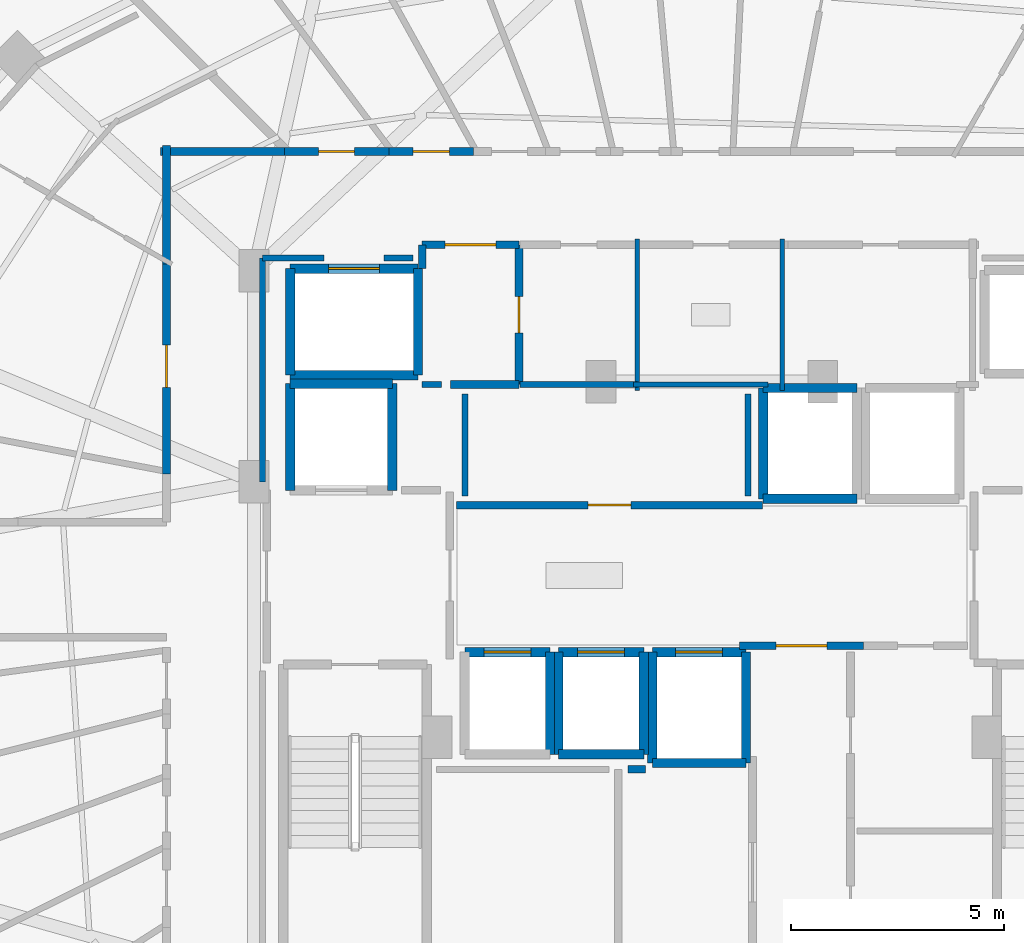
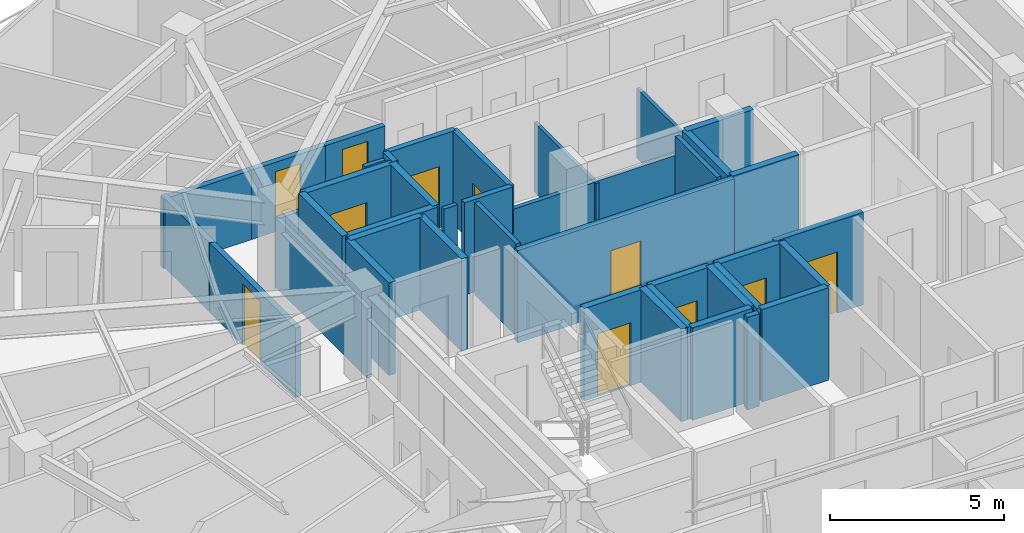
# One storey, part 24 of 31: 42 walls, 11 doors, 11 openings.
"""IFC4 building model written with IfcOpenShell, lengths in metres."""

from ifc_helpers import new_model, si_unit, direction, frame, frame_2d, origin, place, context, subcontext, project, spatial, rectangle, extrude, material, layer, layer_set, type_object, element, fill, save


model = new_model("IFC4")

# Units and contexts
model_context = context("Model", 3, precision=1e-05, world=origin(), true_north=direction((0.0, 1.0)))
body_context = subcontext(model_context, "Body", "Model", "MODEL_VIEW")
ifc_project = project(units=[si_unit("LENGTHUNIT", "METRE"), si_unit("AREAUNIT", "SQUARE_METRE"), si_unit("VOLUMEUNIT", "CUBIC_METRE"), si_unit("PLANEANGLEUNIT", "RADIAN"), si_unit("MASSUNIT", "GRAM", prefix="KILO")], contexts=[model_context])

# Site, building, storey
site_placement = place(None, origin())
site = spatial("IfcSite", under=ifc_project, at=site_placement, CompositionType="ELEMENT")
building_placement = place(site_placement, origin())
building = spatial("IfcBuilding", under=site, at=building_placement, Name="Vorneva Point Tower", CompositionType="ELEMENT")
storey_placement = place(building_placement, frame((0.0, 0.0, 193.10009765625)))
storey = spatial("IfcBuildingStorey", under=building, at=storey_placement, Name="L52", CompositionType="ELEMENT", Elevation=193.10009765625)

# Walls
ifc_material_1 = material(Name="Concrete B60 (C50/60)", Category="concrete")
ifc_layer_1 = layer(ifc_material_1, 0.35009765625)
ifc_layer_set_1 = layer_set([ifc_layer_1], Name="Concrete B60 (C50/60)")
wall_type_1 = type_object("IfcWallType", Name="WL-CORE-350", PredefinedType="SHEAR", material=ifc_layer_set_1)
wall_1_placement = place(storey_placement, frame((30.5, 28.0, 0.0), z_axis=(0.0, 0.0, 1.0), x_axis=(0.0, 1.0, 0.0)))
element("IfcWall", 1, at=wall_1_placement, inside=storey, type_object=wall_type_1, Name="L52 Lift FFL1 Shaft Wall +X", PredefinedType="SHEAR", context=body_context, shape_type="SweptSolid", body=[
    extrude(rectangle(XDim=2.5, YDim=0.219970703125, at=frame_2d((1.25, 0.0))), origin(), (0.0, 0.0, 1.0), 3.239990234375),
])
wall_2_placement = place(storey_placement, frame((30.5, 30.5, 0.0), z_axis=(0.0, 0.0, 1.0), x_axis=(-1.0, 0.0, 0.0)))
element("IfcWall", 2, at=wall_2_placement, inside=storey, type_object=wall_type_1, Name="L52 Lift FFL1 Shaft Wall +Y", PredefinedType="SHEAR", context=body_context, shape_type="SweptSolid", body=[
    extrude(rectangle(XDim=2.39990234375, YDim=0.219970703125, at=frame_2d((1.199951171875, 0.0))), origin(), (0.0, 0.0, 1.0), 3.239990234375),
])
wall_3_placement = place(storey_placement, frame((28.10009765625, 30.5, 0.0), z_axis=(0.0, 0.0, 1.0), x_axis=(0.0, -1.0, 0.0)))
element("IfcWall", 3, at=wall_3_placement, inside=storey, type_object=wall_type_1, Name="L52 Lift FFL1 Shaft Wall -X", PredefinedType="SHEAR", context=body_context, shape_type="SweptSolid", body=[
    extrude(rectangle(XDim=2.5, YDim=0.219970703125, at=frame_2d((1.25, 0.0))), origin(), (0.0, 0.0, 1.0), 3.239990234375),
])
ifc_material_2 = material(Name="Fire-rated acoustic gypsum stud partition", Category="gypsum")
ifc_layer_2 = layer(ifc_material_2, 0.110107421875)
ifc_layer_set_2 = layer_set([ifc_layer_2], Name="Fire-rated acoustic gypsum stud partition")
wall_type_2 = type_object("IfcWallType", Name="WL-PART-110", PredefinedType="PARTITIONING", material=ifc_layer_set_2)
for number, where, z_axis, x_axis, name in (
    (4, (36.25, 30.340087890625, 0.0), (0.0, 0.0, 1.0), (0.0, 1.0, 0.0), "L52 Interior Partition 019"),
    (5, (39.64990234375, 30.340087890625, 0.0), (0.0, 0.0, 1.0), (0.0, 1.0, 0.0), "L52 Interior Partition 022"),
):
    element("IfcWall", number, at=place(storey_placement, frame(where, z_axis=z_axis, x_axis=x_axis)), inside=storey, type_object=wall_type_2, Name=name, PredefinedType="PARTITIONING", context=body_context, shape_type="SweptSolid", body=[
        extrude(rectangle(XDim=3.559814453125, YDim=0.110107421875, at=frame_2d((1.77978515625, 0.0))), origin(), (0.0, 0.0, 1.0), 2.431884765625),
    ])
wall_4_placement = place(storey_placement, frame((36.159912109375, 30.47998046875, 0.0), z_axis=(0.0, 0.0, 1.0), x_axis=(1.0, 0.0, 0.0)))
element("IfcWall", 6, at=wall_4_placement, inside=storey, type_object=wall_type_2, Name="L52 Interior Partition 023", PredefinedType="PARTITIONING", context=body_context, shape_type="SweptSolid", body=[
    extrude(rectangle(XDim=3.16015625, YDim=0.110107421875, at=frame_2d((1.580078125, 0.0))), origin(), (0.0, 0.0, 1.0), 2.431884765625),
])
ifc_layer_3 = layer(ifc_material_2, 0.139892578125)
ifc_layer_set_3 = layer_set([ifc_layer_3], Name="Fire-rated acoustic gypsum stud partition")
wall_type_3 = type_object("IfcWallType", Name="WL-PART-140", PredefinedType="PARTITIONING", material=ifc_layer_set_3)
wall_5_placement = place(storey_placement, frame((33.5, 30.47998046875, 0.0), z_axis=(0.0, 0.0, 1.0), x_axis=(1.0, 0.0, 0.0)))
element("IfcWall", 7, at=wall_5_placement, inside=storey, type_object=wall_type_3, Name="L52 Interior Partition 020", PredefinedType="PARTITIONING", context=body_context, shape_type="SweptSolid", body=[
    extrude(rectangle(XDim=2.75, YDim=0.139892578125, at=frame_2d((1.375, 0.0))), origin(), (0.0, 0.0, 1.0), 2.431884765625),
])
wall_6_placement = place(storey_placement, frame((31.199951171875, 30.47998046875, 0.0), z_axis=(0.0, 0.0, 1.0), x_axis=(1.0, 0.0, 0.0)))
element("IfcWall", 8, at=wall_6_placement, inside=storey, type_object=wall_type_3, Name="L52 Interior Closure Partition 131", PredefinedType="PARTITIONING", context=body_context, shape_type="SweptSolid", body=[
    extrude(rectangle(XDim=0.449951171875, YDim=0.139892578125, at=frame_2d((0.22509765625, 0.0))), origin(), (0.0, 0.0, 1.0), 3.239990234375),
])
for number, where, z_axis, x_axis, name in (
    (9, (32.199951171875, 30.260009765625, 0.0), (0.0, 0.0, 1.0), (0.0, -1.0, 0.0), "L52 Interior Closure Partition 136"),
    (10, (38.85009765625, 27.8701171875, 0.0), (0.0, 0.0, 1.0), (0.0, 1.0, 0.0), "L52 Interior Closure Partition 137"),
):
    element("IfcWall", number, at=place(storey_placement, frame(where, z_axis=z_axis, x_axis=x_axis)), inside=storey, type_object=wall_type_3, Name=name, PredefinedType="PARTITIONING", context=body_context, shape_type="SweptSolid", body=[
        extrude(rectangle(XDim=2.389892578125, YDim=0.139892578125, at=frame_2d((1.19482421875, 0.0))), origin(), (0.0, 0.0, 1.0), 3.239990234375),
    ])
wall_7_placement = place(storey_placement, frame((30.97998046875, 33.449951171875, 0.0), z_axis=(0.0, 0.0, 1.0), x_axis=(-1.0, 0.0, 0.0)))
element("IfcWall", 11, at=wall_7_placement, inside=storey, type_object=wall_type_3, Name="L52 Interior Closure Partition 141", PredefinedType="PARTITIONING", context=body_context, shape_type="SweptSolid", body=[
    extrude(rectangle(XDim=0.674072265625, YDim=0.139892578125, at=frame_2d((0.3369140625, 0.0))), origin(), (0.0, 0.0, 1.0), 3.239990234375),
])
wall_8_placement = place(storey_placement, frame((28.89404296875, 33.449951171875, 0.0), z_axis=(0.0, 0.0, 1.0), x_axis=(-1.0, 0.0, 0.0)))
element("IfcWall", 12, at=wall_8_placement, inside=storey, type_object=wall_type_3, Name="L52 Interior Closure Partition 142", PredefinedType="PARTITIONING", context=body_context, shape_type="SweptSolid", body=[
    extrude(rectangle(XDim=1.444091796875, YDim=0.139892578125, at=frame_2d((0.72216796875, 0.0))), origin(), (0.0, 0.0, 1.0), 2.431884765625),
])
wall_9_placement = place(storey_placement, frame((27.449951171875, 33.449951171875, 0.0), z_axis=(0.0, 0.0, 1.0), x_axis=(0.0, -1.0, 0.0)))
element("IfcWall", 13, at=wall_9_placement, inside=storey, type_object=wall_type_3, Name="L52 Interior Closure Partition 143", PredefinedType="PARTITIONING", context=body_context, shape_type="SweptSolid", body=[
    extrude(rectangle(XDim=5.25390625, YDim=0.139892578125, at=frame_2d((2.626953125, 0.0))), origin(), (0.0, 0.0, 1.0), 2.431884765625),
])

# Wall, opening, door
ifc_material_3 = material(Name="Autoclaved aerated concrete blockwork", Category="masonry")
ifc_layer_4 = layer(ifc_material_3, 0.179931640625)
ifc_layer_set_4 = layer_set([ifc_layer_4], Name="Autoclaved aerated concrete blockwork")
wall_type_4 = type_object("IfcWallType", Name="WL-PART-180", PredefinedType="PARTITIONING", material=ifc_layer_set_4)
wall_10_placement = place(storey_placement, frame((33.469970703125, 30.47998046875, 0.0), z_axis=(0.0, 0.0, 1.0), x_axis=(0.0, 1.0, 0.0)))
wall_10 = element("IfcWall", 14, at=wall_10_placement, inside=storey, type_object=wall_type_4, Name="L52 Interior Partition 006", PredefinedType="PARTITIONING", context=body_context, shape_type="SweptSolid", body=[
    extrude(rectangle(XDim=3.280029296875, YDim=0.179931640625, at=frame_2d((1.64013671875, 0.0))), origin(), (0.0, 0.0, 1.0), 3.239990234375),
])
opening_1_placement = place(wall_10_placement, frame((1.215087890625, 0.0, 0.0)))
opening_1 = element("IfcOpeningElement", 15, at=opening_1_placement, cuts=wall_10, Name="Opening ID-02", PredefinedType="OPENING", context=body_context, shape_type="SweptSolid", body=[
    extrude(rectangle(XDim=0.85009765625, YDim=2.10009765625, at=frame_2d((0.425048828125, 1.050048828125))), frame((0.0, 0.10498046875, 0.0), z_axis=(0.0, -1.0, 0.0), x_axis=(1.0, 0.0, 0.0)), (0.0, 0.0, 1.0), 0.209716796875),
])
ifc_material_4 = material(Name="Engineered oak fire-rated door leaf", Category="wood")
door_type_1 = type_object("IfcDoorType", Name="DR-BATH-850", OperationType="NOTDEFINED", PredefinedType="DOOR", material=ifc_material_4)
door_1_placement = place(opening_1_placement, origin())
door_1 = element("IfcDoor", 16, at=door_1_placement, inside=storey, type_object=door_type_1, Name="L52 Door Service Lift Lobby / Core Supply Store", OperationType="SINGLE_SWING_RIGHT", OverallHeight=2.10009765625, OverallWidth=0.85009765625, PredefinedType="DOOR", context=body_context, shape_type="SweptSolid", body=[
    extrude(rectangle(XDim=0.85009765625, YDim=2.10009765625, at=frame_2d((0.425048828125, 1.050048828125))), frame((0.0, 0.02490234375, 0.0), z_axis=(0.0, -1.0, 0.0), x_axis=(1.0, 0.0, 0.0)), (0.0, 0.0, 1.0), 0.050048828125),
])
fill(opening_1, door_1)

# Wall
wall_11_placement = place(storey_placement, frame((31.8701171875, 30.47998046875, 0.0), z_axis=(0.0, 0.0, 1.0), x_axis=(1.0, 0.0, 0.0)))
element("IfcWall", 17, at=wall_11_placement, inside=storey, type_object=wall_type_4, Name="L52 Interior Partition 007", PredefinedType="PARTITIONING", context=body_context, shape_type="SweptSolid", body=[
    extrude(rectangle(XDim=1.599853515625, YDim=0.179931640625, at=frame_2d((0.7998046875, 0.0))), origin(), (0.0, 0.0, 1.0), 3.239990234375),
])

# Wall, opening, door
wall_12_placement = place(storey_placement, frame((33.469970703125, 33.760009765625, 0.0), z_axis=(0.0, 0.0, 1.0), x_axis=(-1.0, 0.0, 0.0)))
wall_12 = element("IfcWall", 18, at=wall_12_placement, inside=storey, type_object=wall_type_4, Name="L52 Interior Partition 008", PredefinedType="PARTITIONING", context=body_context, shape_type="SweptSolid", body=[
    extrude(rectangle(XDim=2.27001953125, YDim=0.179931640625, at=frame_2d((1.135009765625, 0.0))), origin(), (0.0, 0.0, 1.0), 3.239990234375),
])
opening_2_placement = place(wall_12_placement, frame((0.534912109375, 0.0, 0.0)))
opening_2 = element("IfcOpeningElement", 19, at=opening_2_placement, cuts=wall_12, Name="Opening FD-02", PredefinedType="OPENING", context=body_context, shape_type="SweptSolid", body=[
    extrude(rectangle(XDim=1.199951171875, YDim=2.14990234375, at=frame_2d((0.60009765625, 1.074951171875))), frame((0.0, 0.10498046875, 0.0), z_axis=(0.0, -1.0, 0.0), x_axis=(1.0, 0.0, 0.0)), (0.0, 0.0, 1.0), 0.209716796875),
])
ifc_material_5 = material(Name="Fire-rated powder-coated steel", Category="steel")
door_type_2 = type_object("IfcDoorType", Name="DR-FFL-1200", OperationType="NOTDEFINED", PredefinedType="DOOR", material=ifc_material_5)
door_2_placement = place(opening_2_placement, origin())
door_2 = element("IfcDoor", 20, at=door_2_placement, inside=storey, type_object=door_type_2, Name="L52 Door Service Lift Lobby / L52 Circulation Corridor", OperationType="SINGLE_SWING_LEFT", OverallHeight=2.14990234375, OverallWidth=1.199951171875, PredefinedType="DOOR", context=body_context, shape_type="SweptSolid", body=[
    extrude(rectangle(XDim=1.199951171875, YDim=2.14990234375, at=frame_2d((0.60009765625, 1.074951171875))), frame((0.0, 0.02490234375, 0.0), z_axis=(0.0, -1.0, 0.0), x_axis=(1.0, 0.0, 0.0)), (0.0, 0.0, 1.0), 0.050048828125),
])
fill(opening_2, door_2)

# Wall
wall_13_placement = place(storey_placement, frame((31.199951171875, 33.760009765625, 0.0), z_axis=(0.0, 0.0, 1.0), x_axis=(0.0, -1.0, 0.0)))
element("IfcWall", 21, at=wall_13_placement, inside=storey, type_object=wall_type_4, Name="L52 Interior Partition 009", PredefinedType="PARTITIONING", context=body_context, shape_type="SweptSolid", body=[
    extrude(rectangle(XDim=0.56005859375, YDim=0.179931640625, at=frame_2d((0.280029296875, 0.0))), origin(), (0.0, 0.0, 1.0), 3.239990234375),
])

# Wall, opening, door
wall_14_placement = place(storey_placement, frame((38.64501953125, 24.35009765625, 0.0), z_axis=(0.0, 0.0, 1.0), x_axis=(1.0, 0.0, 0.0)))
wall_14 = element("IfcWall", 22, at=wall_14_placement, inside=storey, type_object=wall_type_4, Name="L52 Interior Partition 010", PredefinedType="PARTITIONING", context=body_context, shape_type="SweptSolid", body=[
    extrude(rectangle(XDim=2.909912109375, YDim=0.179931640625, at=frame_2d((1.455078125, 0.0))), origin(), (0.0, 0.0, 1.0), 3.239990234375),
])
opening_3_placement = place(wall_14_placement, frame((0.85498046875, 0.0, 0.0)))
opening_3 = element("IfcOpeningElement", 23, at=opening_3_placement, cuts=wall_14, Name="Opening FD-02", PredefinedType="OPENING", context=body_context, shape_type="SweptSolid", body=[
    extrude(rectangle(XDim=1.199951171875, YDim=2.14990234375, at=frame_2d((0.60009765625, 1.074951171875))), frame((0.0, 0.10498046875, 0.0), z_axis=(0.0, -1.0, 0.0), x_axis=(1.0, 0.0, 0.0)), (0.0, 0.0, 1.0), 0.209716796875),
])
door_3_placement = place(opening_3_placement, origin())
door_3 = element("IfcDoor", 24, at=door_3_placement, inside=storey, type_object=door_type_2, Name="L52 Door Central Lift Lobby / Core Service Lobby", OperationType="SINGLE_SWING_RIGHT", OverallHeight=2.14990234375, OverallWidth=1.199951171875, PredefinedType="DOOR", context=body_context, shape_type="SweptSolid", body=[
    extrude(rectangle(XDim=1.199951171875, YDim=2.14990234375, at=frame_2d((0.60009765625, 1.074951171875))), frame((0.0, 0.02490234375, 0.0), z_axis=(0.0, -1.0, 0.0), x_axis=(1.0, 0.0, 0.0)), (0.0, 0.0, 1.0), 0.050048828125),
])
fill(opening_3, door_3)

wall_15_placement = place(storey_placement, frame((39.18994140625, 27.64990234375, 0.0), z_axis=(0.0, 0.0, 1.0), x_axis=(-1.0, 0.0, 0.0)))
wall_15 = element("IfcWall", 25, at=wall_15_placement, inside=storey, type_object=wall_type_4, Name="L52 Interior Partition 012", PredefinedType="PARTITIONING", context=body_context, shape_type="SweptSolid", body=[
    extrude(rectangle(XDim=7.18994140625, YDim=0.179931640625, at=frame_2d((3.594970703125, 0.0))), origin(), (0.0, 0.0, 1.0), 3.239990234375),
])
opening_4_placement = place(wall_15_placement, frame((3.094970703125, 0.0, 0.0)))
opening_4 = element("IfcOpeningElement", 26, at=opening_4_placement, cuts=wall_15, Name="Opening UD-01", PredefinedType="OPENING", context=body_context, shape_type="SweptSolid", body=[
    extrude(rectangle(XDim=1.0, YDim=2.14990234375, at=frame_2d((0.5, 1.074951171875))), frame((0.0, 0.10498046875, 0.0), z_axis=(0.0, -1.0, 0.0), x_axis=(1.0, 0.0, 0.0)), (0.0, 0.0, 1.0), 0.209716796875),
])
door_type_3 = type_object("IfcDoorType", Name="DR-UNIT-1000", OperationType="NOTDEFINED", PredefinedType="DOOR", material=ifc_material_4)
door_4_placement = place(opening_4_placement, origin())
door_4 = element("IfcDoor", 27, at=door_4_placement, inside=storey, type_object=door_type_3, Name="L52 Door Central Lift Lobby / Reclaimed Core Meeting Room", OperationType="SINGLE_SWING_RIGHT", OverallHeight=2.14990234375, OverallWidth=1.0, PredefinedType="DOOR", context=body_context, shape_type="SweptSolid", body=[
    extrude(rectangle(XDim=1.0, YDim=2.14990234375, at=frame_2d((0.5, 1.074951171875))), frame((0.0, 0.02490234375, 0.0), z_axis=(0.0, -1.0, 0.0), x_axis=(1.0, 0.0, 0.0)), (0.0, 0.0, 1.0), 0.050048828125),
])
fill(opening_4, door_4)

wall_16_placement = place(storey_placement, frame((32.403076171875, 35.949951171875, 0.0), z_axis=(0.0, 0.0, 1.0), x_axis=(-1.0, 0.0, 0.0)))
wall_16 = element("IfcWall", 28, at=wall_16_placement, inside=storey, type_object=wall_type_4, Name="L52 Interior Partition 037", PredefinedType="PARTITIONING", context=body_context, shape_type="SweptSolid", body=[
    extrude(rectangle(XDim=1.984130859375, YDim=0.179931640625, at=frame_2d((0.9921875, 0.0))), origin(), (0.0, 0.0, 1.0), 2.431884765625),
])
opening_5_placement = place(wall_16_placement, frame((0.56689453125, 0.0, 0.0)))
opening_5 = element("IfcOpeningElement", 29, at=opening_5_placement, cuts=wall_16, Name="Opening ID-02", PredefinedType="OPENING", context=body_context, shape_type="SweptSolid", body=[
    extrude(rectangle(XDim=0.85009765625, YDim=2.10009765625, at=frame_2d((0.425048828125, 1.050048828125))), frame((0.0, 0.10498046875, 0.0), z_axis=(0.0, -1.0, 0.0), x_axis=(1.0, 0.0, 0.0)), (0.0, 0.0, 1.0), 0.209716796875),
])
door_5_placement = place(opening_5_placement, origin())
door_5 = element("IfcDoor", 30, at=door_5_placement, inside=storey, type_object=door_type_1, Name="L52 Access Door L52 Circulation Corridor", OperationType="SINGLE_SWING_LEFT", OverallHeight=2.10009765625, OverallWidth=0.85009765625, PredefinedType="DOOR", context=body_context, shape_type="SweptSolid", body=[
    extrude(rectangle(XDim=0.85009765625, YDim=2.10009765625, at=frame_2d((0.425048828125, 1.050048828125))), frame((0.0, 0.02490234375, 0.0), z_axis=(0.0, -1.0, 0.0), x_axis=(1.0, 0.0, 0.0)), (0.0, 0.0, 1.0), 0.050048828125),
])
fill(opening_5, door_5)

wall_17_placement = place(storey_placement, frame((30.4189453125, 35.949951171875, 0.0), z_axis=(0.0, 0.0, 1.0), x_axis=(-1.0, 0.0, 0.0)))
wall_17 = element("IfcWall", 31, at=wall_17_placement, inside=storey, type_object=wall_type_4, Name="L52 Interior Partition 038", PredefinedType="PARTITIONING", context=body_context, shape_type="SweptSolid", body=[
    extrude(rectangle(XDim=2.453857421875, YDim=0.179931640625, at=frame_2d((1.22705078125, 0.0))), origin(), (0.0, 0.0, 1.0), 2.431884765625),
])
opening_6_placement = place(wall_17_placement, frame((0.802001953125, 0.0, 0.0)))
opening_6 = element("IfcOpeningElement", 32, at=opening_6_placement, cuts=wall_17, Name="Opening ID-02", PredefinedType="OPENING", context=body_context, shape_type="SweptSolid", body=[
    extrude(rectangle(XDim=0.85009765625, YDim=2.10009765625, at=frame_2d((0.425048828125, 1.050048828125))), frame((0.0, 0.10498046875, 0.0), z_axis=(0.0, -1.0, 0.0), x_axis=(1.0, 0.0, 0.0)), (0.0, 0.0, 1.0), 0.209716796875),
])
door_6_placement = place(opening_6_placement, origin())
door_6 = element("IfcDoor", 33, at=door_6_placement, inside=storey, type_object=door_type_1, Name="L52 Access Door L52 Circulation Corridor", OperationType="SINGLE_SWING_RIGHT", OverallHeight=2.10009765625, OverallWidth=0.85009765625, PredefinedType="DOOR", context=body_context, shape_type="SweptSolid", body=[
    extrude(rectangle(XDim=0.85009765625, YDim=2.10009765625, at=frame_2d((0.425048828125, 1.050048828125))), frame((0.0, 0.02490234375, 0.0), z_axis=(0.0, -1.0, 0.0), x_axis=(1.0, 0.0, 0.0)), (0.0, 0.0, 1.0), 0.050048828125),
])
fill(opening_6, door_6)

wall_18_placement = place(storey_placement, frame((25.199951171875, 33.445068359375, 0.0), z_axis=(0.0, 0.0, 1.0), x_axis=(0.0, -1.0, 0.0)))
wall_18 = element("IfcWall", 34, at=wall_18_placement, inside=storey, type_object=wall_type_4, Name="L52 Interior Partition 039", PredefinedType="PARTITIONING", context=body_context, shape_type="SweptSolid", body=[
    extrude(rectangle(XDim=5.06298828125, YDim=0.179931640625, at=frame_2d((2.531494140625, 0.0))), origin(), (0.0, 0.0, 1.0), 2.431884765625),
])
opening_7_placement = place(wall_18_placement, frame((2.031494140625, 0.0, 0.0)))
opening_7 = element("IfcOpeningElement", 35, at=opening_7_placement, cuts=wall_18, Name="Opening UD-01", PredefinedType="OPENING", context=body_context, shape_type="SweptSolid", body=[
    extrude(rectangle(XDim=1.0, YDim=2.14990234375, at=frame_2d((0.5, 1.074951171875))), frame((0.0, 0.10498046875, 0.0), z_axis=(0.0, -1.0, 0.0), x_axis=(1.0, 0.0, 0.0)), (0.0, 0.0, 1.0), 0.209716796875),
])
door_7_placement = place(opening_7_placement, origin())
door_7 = element("IfcDoor", 36, at=door_7_placement, inside=storey, type_object=door_type_3, Name="L52 Door L52 Circulation Corridor / Living and Dining Room L52-02", OperationType="SINGLE_SWING_RIGHT", OverallHeight=2.14990234375, OverallWidth=1.0, PredefinedType="DOOR", context=body_context, shape_type="SweptSolid", body=[
    extrude(rectangle(XDim=1.0, YDim=2.14990234375, at=frame_2d((0.5, 1.074951171875))), frame((0.0, 0.02490234375, 0.0), z_axis=(0.0, -1.0, 0.0), x_axis=(1.0, 0.0, 0.0)), (0.0, 0.0, 1.0), 0.050048828125),
])
fill(opening_7, door_7)

# Walls
wall_19_placement = place(storey_placement, frame((28.10498046875, 35.949951171875, 0.0), z_axis=(0.0, 0.0, 1.0), x_axis=(-1.0, 0.0, 0.0)))
element("IfcWall", 37, at=wall_19_placement, inside=storey, type_object=wall_type_4, Name="L52 Interior Partition 040", PredefinedType="PARTITIONING", context=body_context, shape_type="SweptSolid", body=[
    extrude(rectangle(XDim=3.044921875, YDim=0.179931640625, at=frame_2d((1.5224609375, 0.0))), origin(), (0.0, 0.0, 1.0), 2.431884765625),
])
wall_20_placement = place(storey_placement, frame((25.199951171875, 36.090087890625, 0.0), z_axis=(0.0, 0.0, 1.0), x_axis=(0.0, -1.0, 0.0)))
element("IfcWall", 38, at=wall_20_placement, inside=storey, type_object=wall_type_4, Name="L52 Interior Partition 041", PredefinedType="PARTITIONING", context=body_context, shape_type="SweptSolid", body=[
    extrude(rectangle(XDim=2.78515625, YDim=0.179931640625, at=frame_2d((1.392578125, 0.0))), origin(), (0.0, 0.0, 1.0), 2.431884765625),
])
wall_21_placement = place(storey_placement, frame((36.43896484375, 21.449951171875, 0.0), z_axis=(0.0, 0.0, 1.0), x_axis=(-1.0, 0.0, 0.0)))
element("IfcWall", 39, at=wall_21_placement, inside=storey, type_object=wall_type_4, Name="L52 Interior Closure Partition 135", PredefinedType="PARTITIONING", context=body_context, shape_type="SweptSolid", body=[
    extrude(rectangle(XDim=0.408935546875, YDim=0.179931640625, at=frame_2d((0.20458984375, 0.0))), origin(), (0.0, 0.0, 1.0), 3.239990234375),
])
ifc_material_6 = material(Name="Concrete B50 (C40/50)", Category="concrete")
ifc_layer_5 = layer(ifc_material_6, 0.219970703125)
ifc_layer_set_5 = layer_set([ifc_layer_5], Name="Concrete B50 (C40/50)")
wall_type_5 = type_object("IfcWallType", Name="WL-SHFT-220", PredefinedType="SOLIDWALL", material=ifc_layer_set_5)
wall_22_placement = place(storey_placement, frame((34.199951171875, 21.800048828125, 0.0), z_axis=(0.0, 0.0, 1.0), x_axis=(0.0, 1.0, 0.0)))
element("IfcWall", 40, at=wall_22_placement, inside=storey, type_object=wall_type_5, Name="L52 Lift PL4 Shaft Wall +X", PredefinedType="SOLIDWALL", context=body_context, shape_type="SweptSolid", body=[
    extrude(rectangle(XDim=2.39990234375, YDim=0.219970703125, at=frame_2d((1.199951171875, 0.0))), origin(), (0.0, 0.0, 1.0), 3.239990234375),
])

# Wall, opening, door
wall_23_placement = place(storey_placement, frame((34.199951171875, 24.199951171875, 0.0), z_axis=(0.0, 0.0, 1.0), x_axis=(-1.0, 0.0, 0.0)))
wall_23 = element("IfcWall", 41, at=wall_23_placement, inside=storey, type_object=wall_type_5, Name="L52 Lift PL4 Shaft Wall +Y", PredefinedType="SOLIDWALL", context=body_context, shape_type="SweptSolid", body=[
    extrude(rectangle(XDim=2.0, YDim=0.219970703125, at=frame_2d((1.0, 0.0))), origin(), (0.0, 0.0, 1.0), 3.239990234375),
])
opening_8_placement = place(wall_23_placement, frame((0.449951171875, 0.0, 0.0)))
opening_8 = element("IfcOpeningElement", 42, at=opening_8_placement, cuts=wall_23, Name="Opening LD-01", PredefinedType="OPENING", context=body_context, shape_type="SweptSolid", body=[
    extrude(rectangle(XDim=1.10009765625, YDim=2.199951171875, at=frame_2d((0.550048828125, 1.10009765625))), frame((0.0, 0.125, 0.0), z_axis=(0.0, -1.0, 0.0), x_axis=(1.0, 0.0, 0.0)), (0.0, 0.0, 1.0), 0.249755859375),
])
ifc_material_7 = material(Name="Brushed stainless steel S304", Category="steel")
door_type_4 = type_object("IfcDoorType", Name="LD-PASS-1100", OperationType="SLIDING_TO_LEFT", PredefinedType="DOOR", material=ifc_material_7)
door_8_placement = place(opening_8_placement, origin())
door_8 = element("IfcDoor", 43, at=door_8_placement, inside=storey, type_object=door_type_4, Name="L52 Lift PL4 Sliding Landing Door", OperationType="SLIDING_TO_LEFT", OverallHeight=2.199951171875, OverallWidth=1.10009765625, PredefinedType="DOOR", context=body_context, shape_type="SweptSolid", body=[
    extrude(rectangle(XDim=1.10009765625, YDim=2.199951171875, at=frame_2d((0.550048828125, 1.10009765625))), frame((0.0, 0.02490234375, 0.0), z_axis=(0.0, -1.0, 0.0), x_axis=(1.0, 0.0, 0.0)), (0.0, 0.0, 1.0), 0.050048828125),
])
fill(opening_8, door_8)

# Walls
wall_24_placement = place(storey_placement, frame((34.39990234375, 21.800048828125, 0.0), z_axis=(0.0, 0.0, 1.0), x_axis=(1.0, 0.0, 0.0)))
element("IfcWall", 44, at=wall_24_placement, inside=storey, type_object=wall_type_5, Name="L52 Lift PL5 Shaft Wall -Y", PredefinedType="SOLIDWALL", context=body_context, shape_type="SweptSolid", body=[
    extrude(rectangle(XDim=2.0, YDim=0.219970703125, at=frame_2d((1.0, 0.0))), origin(), (0.0, 0.0, 1.0), 3.239990234375),
])
wall_25_placement = place(storey_placement, frame((36.39990234375, 21.800048828125, 0.0), z_axis=(0.0, 0.0, 1.0), x_axis=(0.0, 1.0, 0.0)))
element("IfcWall", 45, at=wall_25_placement, inside=storey, type_object=wall_type_5, Name="L52 Lift PL5 Shaft Wall +X", PredefinedType="SOLIDWALL", context=body_context, shape_type="SweptSolid", body=[
    extrude(rectangle(XDim=2.39990234375, YDim=0.219970703125, at=frame_2d((1.199951171875, 0.0))), origin(), (0.0, 0.0, 1.0), 3.239990234375),
])

# Wall, opening, door
wall_26_placement = place(storey_placement, frame((36.39990234375, 24.199951171875, 0.0), z_axis=(0.0, 0.0, 1.0), x_axis=(-1.0, 0.0, 0.0)))
wall_26 = element("IfcWall", 46, at=wall_26_placement, inside=storey, type_object=wall_type_5, Name="L52 Lift PL5 Shaft Wall +Y", PredefinedType="SOLIDWALL", context=body_context, shape_type="SweptSolid", body=[
    extrude(rectangle(XDim=2.0, YDim=0.219970703125, at=frame_2d((1.0, 0.0))), origin(), (0.0, 0.0, 1.0), 3.239990234375),
])
opening_9_placement = place(wall_26_placement, frame((0.449951171875, 0.0, 0.0)))
opening_9 = element("IfcOpeningElement", 47, at=opening_9_placement, cuts=wall_26, Name="Opening LD-01", PredefinedType="OPENING", context=body_context, shape_type="SweptSolid", body=[
    extrude(rectangle(XDim=1.10009765625, YDim=2.199951171875, at=frame_2d((0.550048828125, 1.10009765625))), frame((0.0, 0.125, 0.0), z_axis=(0.0, -1.0, 0.0), x_axis=(1.0, 0.0, 0.0)), (0.0, 0.0, 1.0), 0.249755859375),
])
door_9_placement = place(opening_9_placement, origin())
door_9 = element("IfcDoor", 48, at=door_9_placement, inside=storey, type_object=door_type_4, Name="L52 Lift PL5 Sliding Landing Door", OperationType="SLIDING_TO_LEFT", OverallHeight=2.199951171875, OverallWidth=1.10009765625, PredefinedType="DOOR", context=body_context, shape_type="SweptSolid", body=[
    extrude(rectangle(XDim=1.10009765625, YDim=2.199951171875, at=frame_2d((0.550048828125, 1.10009765625))), frame((0.0, 0.02490234375, 0.0), z_axis=(0.0, -1.0, 0.0), x_axis=(1.0, 0.0, 0.0)), (0.0, 0.0, 1.0), 0.050048828125),
])
fill(opening_9, door_9)

# Walls
wall_27_placement = place(storey_placement, frame((34.39990234375, 24.199951171875, 0.0), z_axis=(0.0, 0.0, 1.0), x_axis=(0.0, -1.0, 0.0)))
element("IfcWall", 49, at=wall_27_placement, inside=storey, type_object=wall_type_5, Name="L52 Lift PL5 Shaft Wall -X", PredefinedType="SOLIDWALL", context=body_context, shape_type="SweptSolid", body=[
    extrude(rectangle(XDim=2.39990234375, YDim=0.219970703125, at=frame_2d((1.199951171875, 0.0))), origin(), (0.0, 0.0, 1.0), 3.239990234375),
])
wall_28_placement = place(storey_placement, frame((36.60009765625, 21.60009765625, 0.0), z_axis=(0.0, 0.0, 1.0), x_axis=(1.0, 0.0, 0.0)))
element("IfcWall", 50, at=wall_28_placement, inside=storey, type_object=wall_type_5, Name="L52 Lift PL6 Shaft Wall -Y", PredefinedType="SOLIDWALL", context=body_context, shape_type="SweptSolid", body=[
    extrude(rectangle(XDim=2.199951171875, YDim=0.219970703125, at=frame_2d((1.10009765625, 0.0))), origin(), (0.0, 0.0, 1.0), 3.239990234375),
])
wall_29_placement = place(storey_placement, frame((38.800048828125, 21.60009765625, 0.0), z_axis=(0.0, 0.0, 1.0), x_axis=(0.0, 1.0, 0.0)))
element("IfcWall", 51, at=wall_29_placement, inside=storey, type_object=wall_type_5, Name="L52 Lift PL6 Shaft Wall +X", PredefinedType="SOLIDWALL", context=body_context, shape_type="SweptSolid", body=[
    extrude(rectangle(XDim=2.599853515625, YDim=0.219970703125, at=frame_2d((1.2998046875, 0.0))), origin(), (0.0, 0.0, 1.0), 3.239990234375),
])

# Wall, opening, door
wall_30_placement = place(storey_placement, frame((38.800048828125, 24.199951171875, 0.0), z_axis=(0.0, 0.0, 1.0), x_axis=(-1.0, 0.0, 0.0)))
wall_30 = element("IfcWall", 52, at=wall_30_placement, inside=storey, type_object=wall_type_5, Name="L52 Lift PL6 Shaft Wall +Y", PredefinedType="SOLIDWALL", context=body_context, shape_type="SweptSolid", body=[
    extrude(rectangle(XDim=2.199951171875, YDim=0.219970703125, at=frame_2d((1.10009765625, 0.0))), origin(), (0.0, 0.0, 1.0), 3.239990234375),
])
opening_10_placement = place(wall_30_placement, frame((0.550048828125, 0.0, 0.0)))
opening_10 = element("IfcOpeningElement", 53, at=opening_10_placement, cuts=wall_30, Name="Opening LD-01", PredefinedType="OPENING", context=body_context, shape_type="SweptSolid", body=[
    extrude(rectangle(XDim=1.10009765625, YDim=2.199951171875, at=frame_2d((0.550048828125, 1.10009765625))), frame((0.0, 0.125, 0.0), z_axis=(0.0, -1.0, 0.0), x_axis=(1.0, 0.0, 0.0)), (0.0, 0.0, 1.0), 0.249755859375),
])
door_10_placement = place(opening_10_placement, origin())
door_10 = element("IfcDoor", 54, at=door_10_placement, inside=storey, type_object=door_type_4, Name="L52 Lift PL6 Sliding Landing Door", OperationType="SLIDING_TO_LEFT", OverallHeight=2.199951171875, OverallWidth=1.10009765625, PredefinedType="DOOR", context=body_context, shape_type="SweptSolid", body=[
    extrude(rectangle(XDim=1.10009765625, YDim=2.199951171875, at=frame_2d((0.550048828125, 1.10009765625))), frame((0.0, 0.02490234375, 0.0), z_axis=(0.0, -1.0, 0.0), x_axis=(1.0, 0.0, 0.0)), (0.0, 0.0, 1.0), 0.050048828125),
])
fill(opening_10, door_10)

# Walls
wall_31_placement = place(storey_placement, frame((36.60009765625, 24.199951171875, 0.0), z_axis=(0.0, 0.0, 1.0), x_axis=(0.0, -1.0, 0.0)))
element("IfcWall", 55, at=wall_31_placement, inside=storey, type_object=wall_type_5, Name="L52 Lift PL6 Shaft Wall -X", PredefinedType="SOLIDWALL", context=body_context, shape_type="SweptSolid", body=[
    extrude(rectangle(XDim=2.599853515625, YDim=0.219970703125, at=frame_2d((1.2998046875, 0.0))), origin(), (0.0, 0.0, 1.0), 3.239990234375),
])
for number, where, z_axis, x_axis, name in (
    (56, (39.199951171875, 27.800048828125, 0.0), (0.0, 0.0, 1.0), (1.0, 0.0, 0.0), "L52 Lift PL7 Shaft Wall -Y"),
    (57, (41.39990234375, 30.39990234375, 0.0), (0.0, 0.0, 1.0), (-1.0, 0.0, 0.0), "L52 Lift PL7 Shaft Wall +Y"),
):
    element("IfcWall", number, at=place(storey_placement, frame(where, z_axis=z_axis, x_axis=x_axis)), inside=storey, type_object=wall_type_5, Name=name, PredefinedType="SOLIDWALL", context=body_context, shape_type="SweptSolid", body=[
        extrude(rectangle(XDim=2.199951171875, YDim=0.219970703125, at=frame_2d((1.10009765625, 0.0))), origin(), (0.0, 0.0, 1.0), 3.239990234375),
    ])
wall_32_placement = place(storey_placement, frame((39.199951171875, 30.39990234375, 0.0), z_axis=(0.0, 0.0, 1.0), x_axis=(0.0, -1.0, 0.0)))
element("IfcWall", 58, at=wall_32_placement, inside=storey, type_object=wall_type_5, Name="L52 Lift PL7 Shaft Wall -X", PredefinedType="SOLIDWALL", context=body_context, shape_type="SweptSolid", body=[
    extrude(rectangle(XDim=2.599853515625, YDim=0.219970703125, at=frame_2d((1.2998046875, 0.0))), origin(), (0.0, 0.0, 1.0), 3.239990234375),
])
wall_33_placement = place(storey_placement, frame((28.10009765625, 30.699951171875, 0.0), z_axis=(0.0, 0.0, 1.0), x_axis=(1.0, 0.0, 0.0)))
element("IfcWall", 59, at=wall_33_placement, inside=storey, type_object=wall_type_5, Name="L52 Lift SVL1 Shaft Wall -Y", PredefinedType="SOLIDWALL", context=body_context, shape_type="SweptSolid", body=[
    extrude(rectangle(XDim=3.0, YDim=0.219970703125, at=frame_2d((1.5, 0.0))), origin(), (0.0, 0.0, 1.0), 3.239990234375),
])
wall_34_placement = place(storey_placement, frame((31.10009765625, 30.699951171875, 0.0), z_axis=(0.0, 0.0, 1.0), x_axis=(0.0, 1.0, 0.0)))
element("IfcWall", 60, at=wall_34_placement, inside=storey, type_object=wall_type_5, Name="L52 Lift SVL1 Shaft Wall +X", PredefinedType="SOLIDWALL", context=body_context, shape_type="SweptSolid", body=[
    extrude(rectangle(XDim=2.5, YDim=0.219970703125, at=frame_2d((1.25, 0.0))), origin(), (0.0, 0.0, 1.0), 3.239990234375),
])

# Wall, opening, door
wall_35_placement = place(storey_placement, frame((31.10009765625, 33.199951171875, 0.0), z_axis=(0.0, 0.0, 1.0), x_axis=(-1.0, 0.0, 0.0)))
wall_35 = element("IfcWall", 61, at=wall_35_placement, inside=storey, type_object=wall_type_5, Name="L52 Lift SVL1 Shaft Wall +Y", PredefinedType="SOLIDWALL", context=body_context, shape_type="SweptSolid", body=[
    extrude(rectangle(XDim=3.0, YDim=0.219970703125, at=frame_2d((1.5, 0.0))), origin(), (0.0, 0.0, 1.0), 3.239990234375),
])
opening_11_placement = place(wall_35_placement, frame((0.89990234375, 0.0, 0.0)))
opening_11 = element("IfcOpeningElement", 62, at=opening_11_placement, cuts=wall_35, Name="Opening LD-02", PredefinedType="OPENING", context=body_context, shape_type="SweptSolid", body=[
    extrude(rectangle(XDim=1.199951171875, YDim=2.199951171875, at=frame_2d((0.60009765625, 1.10009765625))), frame((0.0, 0.125, 0.0), z_axis=(0.0, -1.0, 0.0), x_axis=(1.0, 0.0, 0.0)), (0.0, 0.0, 1.0), 0.249755859375),
])
door_type_5 = type_object("IfcDoorType", Name="LD-FIRE-1200", OperationType="SLIDING_TO_LEFT", PredefinedType="DOOR", material=ifc_material_7)
door_11_placement = place(opening_11_placement, origin())
door_11 = element("IfcDoor", 63, at=door_11_placement, inside=storey, type_object=door_type_5, Name="L52 Lift SVL1 Sliding Landing Door", OperationType="SLIDING_TO_LEFT", OverallHeight=2.199951171875, OverallWidth=1.199951171875, PredefinedType="DOOR", context=body_context, shape_type="SweptSolid", body=[
    extrude(rectangle(XDim=1.199951171875, YDim=2.199951171875, at=frame_2d((0.60009765625, 1.10009765625))), frame((0.0, 0.02490234375, 0.0), z_axis=(0.0, -1.0, 0.0), x_axis=(1.0, 0.0, 0.0)), (0.0, 0.0, 1.0), 0.050048828125),
])
fill(opening_11, door_11)

# Wall
wall_36_placement = place(storey_placement, frame((28.10009765625, 33.199951171875, 0.0), z_axis=(0.0, 0.0, 1.0), x_axis=(0.0, -1.0, 0.0)))
element("IfcWall", 64, at=wall_36_placement, inside=storey, type_object=wall_type_5, Name="L52 Lift SVL1 Shaft Wall -X", PredefinedType="SOLIDWALL", context=body_context, shape_type="SweptSolid", body=[
    extrude(rectangle(XDim=2.5, YDim=0.219970703125, at=frame_2d((1.25, 0.0))), origin(), (0.0, 0.0, 1.0), 3.239990234375),
])

save(model, "model.ifc")
